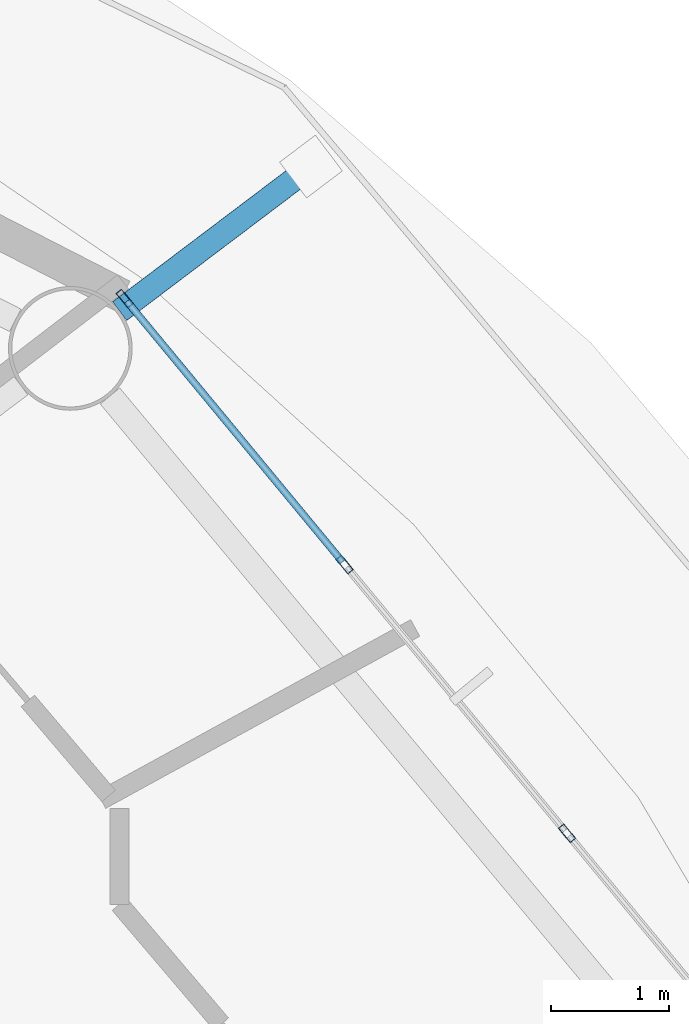
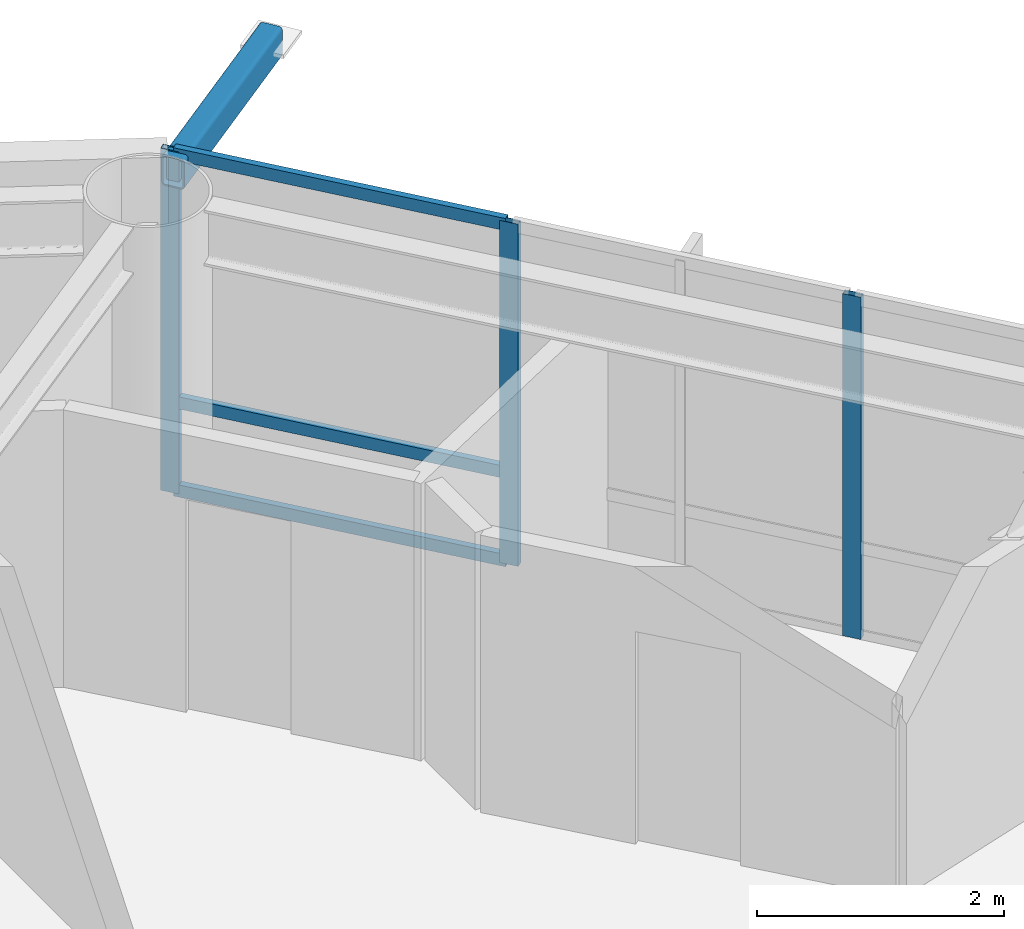
# One storey, part 15 of 28: 7 members, 1 element without a shape of its own.
"""IFC4 building model written with IfcOpenShell, lengths in metres."""

from ifc_helpers import new_model, si_unit, direction, frame, origin, origin_2d, place, context, subcontext, project, spatial, hollow_rectangle, extrude, material, layer, layer_set, material_profile, profile_set, type_object, element, aggregate, save


model = new_model("IFC4")

# Units and contexts
model_context = context("Model", 3, precision=1e-05, world=origin(), true_north=direction((0.0, 1.0)))
body_context = subcontext(model_context, "Body", "Model", "MODEL_VIEW")
ifc_project = project(units=[si_unit("LENGTHUNIT", "METRE"), si_unit("AREAUNIT", "SQUARE_METRE"), si_unit("VOLUMEUNIT", "CUBIC_METRE"), si_unit("PLANEANGLEUNIT", "RADIAN"), si_unit("MASSUNIT", "GRAM", prefix="KILO")], contexts=[model_context])

# Site, building, storey
site_placement = place(None, origin())
site = spatial("IfcSite", under=ifc_project, at=site_placement, CompositionType="ELEMENT")
building_placement = place(site_placement, origin())
building = spatial("IfcBuilding", under=site, at=building_placement, Name="Sarneth Arch Tower", CompositionType="ELEMENT")
storey_placement = place(building_placement, frame((0.0, 0.0, 172.199951171875)))
storey = spatial("IfcBuildingStorey", under=building, at=storey_placement, Name="L43", CompositionType="ELEMENT", Elevation=172.199951171875)

# Curtain wall, members
ifc_material_1 = material(Name="Anodised aluminium Type AA25 and solar-control low-e laminated IGU", Category="aluminium")
ifc_layer = layer(ifc_material_1, 0.169921875)
ifc_layer_set = layer_set([ifc_layer], Name="Anodised aluminium Type AA25 and solar-control low-e laminated IGU")
curtain_wall_type = type_object("IfcCurtainWallType", Name="CW-RES-MID", PredefinedType="NOTDEFINED", material=ifc_layer_set)
curtain_wall_placement = place(storey_placement, origin())
curtain_wall = element("IfcCurtainWall", 1, at=curtain_wall_placement, inside=storey, type_object=curtain_wall_type, Name="L43 Unitised curtain wall facet 02", PredefinedType="NOTDEFINED")
ifc_material_2 = material(Name="Anodised Aluminium 6063-T6", Category="aluminium")
ifc_material_profile_1 = material_profile(ifc_material_2, hollow_rectangle(XDim=0.06005859375, YDim=0.159912109375, WallThickness=0.00390625, at=origin_2d()), Name="AL-MULL-160x60x4")
ifc_profile_set_1 = profile_set([ifc_material_profile_1], Name="Anodised Aluminium 6063-T6")
member_type_1 = type_object("IfcMemberType", Name="CW-MULLION", PredefinedType="MULLION", material=ifc_profile_set_1)
member_1_placement = place(storey_placement, frame((71.346923828125, 52.3466796875, 0.0), z_axis=(0.0, 0.0, 1.0), x_axis=(-0.770590741276, -0.637330298558, 0.0)))
member_1 = element("IfcMember", 2, at=member_1_placement, type_object=member_type_1, Name="CW-SYS-5 mullion 2", PredefinedType="MULLION", context=body_context, shape_type="SweptSolid", body=[
    extrude(hollow_rectangle(XDim=0.06005859375, YDim=0.159912109375, WallThickness=0.00390625, at=origin_2d()), origin(), (0.0, 0.0, 1.0), 3.380126953125),
])
member_2_placement = place(storey_placement, frame((69.46142578125, 54.626220703125, 0.0), z_axis=(0.0, 0.0, 1.0), x_axis=(-0.770590741276, -0.637330298558, 0.0)))
member_2 = element("IfcMember", 3, at=member_2_placement, type_object=member_type_1, Name="CW-SYS-5 mullion 3", PredefinedType="MULLION", context=body_context, shape_type="SweptSolid", body=[
    extrude(hollow_rectangle(XDim=0.06005859375, YDim=0.159912109375, WallThickness=0.00390625, at=origin_2d()), origin(), (0.0, 0.0, 1.0), 3.380126953125),
])
member_3_placement = place(storey_placement, frame((67.59521484375, 56.8828125, 0.0), z_axis=(0.0, 0.0, 1.0), x_axis=(-0.770590741276, -0.637330298558, 0.0)))
member_3 = element("IfcMember", 4, at=member_3_placement, type_object=member_type_1, Name="CW-SYS-5 mullion 4", PredefinedType="MULLION", context=body_context, shape_type="SweptSolid", body=[
    extrude(hollow_rectangle(XDim=0.06005859375, YDim=0.159912109375, WallThickness=0.00390625, at=origin_2d()), origin(), (0.0, 0.0, 1.0), 3.380126953125),
])
ifc_material_3 = material(Name="Anodised Aluminium 6063-T6", Category="aluminium")
ifc_material_profile_2 = material_profile(ifc_material_3, hollow_rectangle(XDim=0.06005859375, YDim=0.1201171875, WallThickness=0.00390625, at=origin_2d()), Name="AL-TRAN-120x60x4")
ifc_profile_set_2 = profile_set([ifc_material_profile_2], Name="Anodised Aluminium 6063-T6")
member_type_2 = type_object("IfcMemberType", Name="CW-TRANSOM", PredefinedType="USERDEFINED", material=ifc_profile_set_2)
member_4_placement = place(storey_placement, frame((69.4423828125, 54.6494140625, 0.030029296875), z_axis=(-0.637358651504, 0.770567290607, 0.0), x_axis=(-0.770567290607, -0.637358651504, 0.0)))
member_4 = element("IfcMember", 5, at=member_4_placement, type_object=member_type_2, Name="CW-SYS-5 transom 3.1", ObjectType="TRANSOM", PredefinedType="USERDEFINED", context=body_context, shape_type="SweptSolid", body=[
    extrude(hollow_rectangle(XDim=0.06005859375, YDim=0.1201171875, WallThickness=0.00390625, at=origin_2d()), origin(), (0.0, 0.0, 1.0), 2.8681640625),
])
member_5_placement = place(storey_placement, frame((69.4423828125, 54.6494140625, 0.900146484375), z_axis=(-0.637358651504, 0.770567290607, 0.0), x_axis=(-0.770567290607, -0.637358651504, 0.0)))
member_5 = element("IfcMember", 6, at=member_5_placement, type_object=member_type_2, Name="CW-SYS-5 transom 3.2", ObjectType="TRANSOM", PredefinedType="USERDEFINED", context=body_context, shape_type="SweptSolid", body=[
    extrude(hollow_rectangle(XDim=0.06005859375, YDim=0.1201171875, WallThickness=0.00390625, at=origin_2d()), origin(), (0.0, 0.0, 1.0), 2.8681640625),
])
member_6_placement = place(storey_placement, frame((69.4423828125, 54.6494140625, 3.35009765625), z_axis=(-0.637358651504, 0.770567290607, 0.0), x_axis=(-0.770567290607, -0.637358651504, 0.0)))
member_6 = element("IfcMember", 7, at=member_6_placement, type_object=member_type_2, Name="CW-SYS-5 transom 3.3", ObjectType="TRANSOM", PredefinedType="USERDEFINED", context=body_context, shape_type="SweptSolid", body=[
    extrude(hollow_rectangle(XDim=0.06005859375, YDim=0.1201171875, WallThickness=0.00390625, at=origin_2d()), origin(), (0.0, 0.0, 1.0), 2.8681640625),
])
aggregate(curtain_wall, [member_1, member_2, member_3, member_4, member_5, member_6])

# Member
ifc_material_4 = material(Name="Steel S355", Category="steel")
ifc_material_profile_3 = material_profile(ifc_material_4, hollow_rectangle(XDim=0.199951171875, YDim=0.300048828125, WallThickness=0.012451171875, InnerFilletRadius=0.018798828125, OuterFilletRadius=0.03125, at=origin_2d()), Name="RHS300x200x12.5")
ifc_profile_set_3 = profile_set([ifc_material_profile_3], Name="Steel S355")
member_type_3 = type_object("IfcMemberType", Name="MEM-CANT-STRUT", PredefinedType="STRUT", material=ifc_profile_set_3)
member_7_placement = place(storey_placement, frame((67.552734375, 56.77685546875, 3.219970703125), z_axis=(0.797776219853, 0.602953649161, 0.0), x_axis=(-0.602953649161, 0.797776219853, 0.0)))
element("IfcMember", 8, at=member_7_placement, inside=storey, type_object=member_type_3, Name="L43 Balcony cantilever bracket 03", PredefinedType="STRUT", context=body_context, shape_type="SweptSolid", body=[
    extrude(hollow_rectangle(XDim=0.199951171875, YDim=0.300048828125, WallThickness=0.012451171875, InnerFilletRadius=0.018798828125, OuterFilletRadius=0.03125, at=origin_2d()), origin(), (0.0, 0.0, 1.0), 2.033935546875),
])

save(model, "model.ifc")
